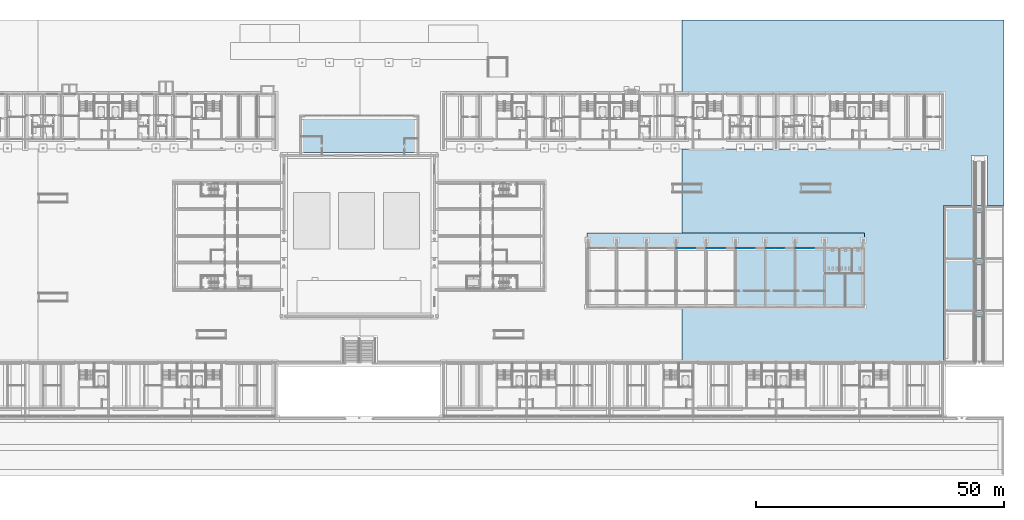
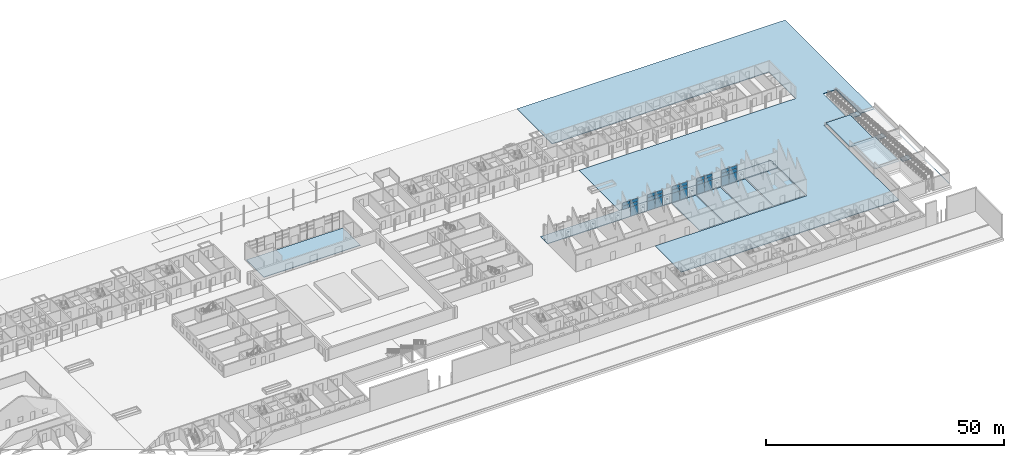
# One storey, part 34 of 112: 29 plates, 12 slabs, 6 elements without a shape of their own.
"""IFC4 building model written with IfcOpenShell, lengths in metres."""

from ifc_helpers import new_model, si_unit, direction, frame, origin, origin_2d, place, context, subcontext, project, spatial, polyline, rectangle, outline, extrude, material, layer, layer_set, type_object, element, aggregate, save


model = new_model("IFC4")

# Units and contexts
model_context = context("Model", 3, precision=1e-05, world=origin(), true_north=direction((0.0, 1.0)))
body_context = subcontext(model_context, "Body", "Model", "MODEL_VIEW")
ifc_project = project(units=[si_unit("LENGTHUNIT", "METRE"), si_unit("AREAUNIT", "SQUARE_METRE"), si_unit("VOLUMEUNIT", "CUBIC_METRE"), si_unit("PLANEANGLEUNIT", "RADIAN"), si_unit("MASSUNIT", "GRAM", prefix="KILO")], contexts=[model_context])

# Site, building, storey
site_placement = place(None, origin())
site = spatial("IfcSite", under=ifc_project, at=site_placement, CompositionType="ELEMENT")
building_placement = place(site_placement, origin())
building = spatial("IfcBuilding", under=site, at=building_placement, Name="Ridgestep Commons", CompositionType="ELEMENT")
storey_placement = place(building_placement, origin())
storey = spatial("IfcBuildingStorey", under=building, at=storey_placement, Name="L00", CompositionType="ELEMENT", Elevation=0.0)

# Curtain wall, plates
ifc_material_1 = material(Name="Aluminium and glass", Category="aluminium")
ifc_layer_1 = layer(ifc_material_1, 0.14990234375)
ifc_layer_set_1 = layer_set([ifc_layer_1], Name="Shopfront curtain wall")
curtain_wall_type = type_object("IfcCurtainWallType", Name="Shopfront curtain wall", PredefinedType="NOTDEFINED", material=ifc_layer_set_1)
curtain_wall_1_placement = place(storey_placement, origin())
curtain_wall_1 = element("IfcCurtainWall", 1, at=curtain_wall_1_placement, inside=storey, type_object=curtain_wall_type, Name="Shopfront curtain wall", PredefinedType="NOTDEFINED")
ifc_material_2 = material(Name="Glass", Category="glass")
ifc_layer_2 = layer(ifc_material_2, 0.011962890625)
ifc_layer_set_2 = layer_set([ifc_layer_2], Name="Community glass panel 12")
plate_type = type_object("IfcPlateType", Name="Community glass panel 12", PredefinedType="CURTAIN_PANEL", material=ifc_layer_set_2)
plate_1_placement = place(storey_placement, frame((194.887451171875, 45.89990234375, 2.425048828125), z_axis=(0.0, 0.0, 1.0), x_axis=(1.0, 0.0, 0.0)))
plate_1 = element("IfcPlate", 2, at=plate_1_placement, type_object=plate_type, Name="CW3 panel 1.2", PredefinedType="CURTAIN_PANEL", context=body_context, shape_type="SweptSolid", body=[
    extrude(rectangle(XDim=1.824951171875, YDim=0.011962890625, at=origin_2d()), origin(), (0.0, 0.0, 1.0), 0.85009765625),
])
plate_2_placement = place(storey_placement, frame((194.887451171875, 45.89990234375, 3.3251953125), z_axis=(0.0, 0.0, 1.0), x_axis=(1.0, 0.0, 0.0)))
plate_2 = element("IfcPlate", 3, at=plate_2_placement, type_object=plate_type, Name="CW3 panel 1.3", PredefinedType="CURTAIN_PANEL", context=body_context, shape_type="SweptSolid", body=[
    extrude(rectangle(XDim=1.824951171875, YDim=0.011962890625, at=origin_2d()), origin(), (0.0, 0.0, 1.0), 0.824951171875),
])
plate_3_placement = place(storey_placement, frame((196.762451171875, 45.89990234375, 0.0498046875), z_axis=(0.0, 0.0, 1.0), x_axis=(1.0, 0.0, 0.0)))
plate_3 = element("IfcPlate", 4, at=plate_3_placement, type_object=plate_type, Name="CW3 panel 2.1", PredefinedType="CURTAIN_PANEL", context=body_context, shape_type="SweptSolid", body=[
    extrude(rectangle(XDim=1.824951171875, YDim=0.011962890625, at=origin_2d()), origin(), (0.0, 0.0, 1.0), 2.324951171875),
])
plate_4_placement = place(storey_placement, frame((196.762451171875, 45.89990234375, 2.425048828125), z_axis=(0.0, 0.0, 1.0), x_axis=(1.0, 0.0, 0.0)))
plate_4 = element("IfcPlate", 5, at=plate_4_placement, type_object=plate_type, Name="CW3 panel 2.2", PredefinedType="CURTAIN_PANEL", context=body_context, shape_type="SweptSolid", body=[
    extrude(rectangle(XDim=1.824951171875, YDim=0.011962890625, at=origin_2d()), origin(), (0.0, 0.0, 1.0), 0.85009765625),
])
plate_5_placement = place(storey_placement, frame((196.762451171875, 45.89990234375, 3.3251953125), z_axis=(0.0, 0.0, 1.0), x_axis=(1.0, 0.0, 0.0)))
plate_5 = element("IfcPlate", 6, at=plate_5_placement, type_object=plate_type, Name="CW3 panel 2.3", PredefinedType="CURTAIN_PANEL", context=body_context, shape_type="SweptSolid", body=[
    extrude(rectangle(XDim=1.824951171875, YDim=0.011962890625, at=origin_2d()), origin(), (0.0, 0.0, 1.0), 0.824951171875),
])
aggregate(curtain_wall_1, [plate_1, plate_2, plate_3, plate_4, plate_5])

curtain_wall_2_placement = place(storey_placement, origin())
curtain_wall_2 = element("IfcCurtainWall", 7, at=curtain_wall_2_placement, inside=storey, type_object=curtain_wall_type, Name="Shopfront curtain wall", PredefinedType="NOTDEFINED")
plate_6_placement = place(storey_placement, frame((200.887451171875, 45.89990234375, 0.0498046875), z_axis=(0.0, 0.0, 1.0), x_axis=(1.0, 0.0, 0.0)))
plate_6 = element("IfcPlate", 8, at=plate_6_placement, type_object=plate_type, Name="CW3 panel 1.1", PredefinedType="CURTAIN_PANEL", context=body_context, shape_type="SweptSolid", body=[
    extrude(rectangle(XDim=1.824951171875, YDim=0.011962890625, at=origin_2d()), origin(), (0.0, 0.0, 1.0), 2.324951171875),
])
plate_7_placement = place(storey_placement, frame((200.887451171875, 45.89990234375, 2.425048828125), z_axis=(0.0, 0.0, 1.0), x_axis=(1.0, 0.0, 0.0)))
plate_7 = element("IfcPlate", 9, at=plate_7_placement, type_object=plate_type, Name="CW3 panel 1.2", PredefinedType="CURTAIN_PANEL", context=body_context, shape_type="SweptSolid", body=[
    extrude(rectangle(XDim=1.824951171875, YDim=0.011962890625, at=origin_2d()), origin(), (0.0, 0.0, 1.0), 0.85009765625),
])
plate_8_placement = place(storey_placement, frame((200.887451171875, 45.89990234375, 3.3251953125), z_axis=(0.0, 0.0, 1.0), x_axis=(1.0, 0.0, 0.0)))
plate_8 = element("IfcPlate", 10, at=plate_8_placement, type_object=plate_type, Name="CW3 panel 1.3", PredefinedType="CURTAIN_PANEL", context=body_context, shape_type="SweptSolid", body=[
    extrude(rectangle(XDim=1.824951171875, YDim=0.011962890625, at=origin_2d()), origin(), (0.0, 0.0, 1.0), 0.824951171875),
])
plate_9_placement = place(storey_placement, frame((202.762451171875, 45.89990234375, 0.0498046875), z_axis=(0.0, 0.0, 1.0), x_axis=(1.0, 0.0, 0.0)))
plate_9 = element("IfcPlate", 11, at=plate_9_placement, type_object=plate_type, Name="CW3 panel 2.1", PredefinedType="CURTAIN_PANEL", context=body_context, shape_type="SweptSolid", body=[
    extrude(rectangle(XDim=1.824951171875, YDim=0.011962890625, at=origin_2d()), origin(), (0.0, 0.0, 1.0), 2.324951171875),
])
plate_10_placement = place(storey_placement, frame((202.762451171875, 45.89990234375, 2.425048828125), z_axis=(0.0, 0.0, 1.0), x_axis=(1.0, 0.0, 0.0)))
plate_10 = element("IfcPlate", 12, at=plate_10_placement, type_object=plate_type, Name="CW3 panel 2.2", PredefinedType="CURTAIN_PANEL", context=body_context, shape_type="SweptSolid", body=[
    extrude(rectangle(XDim=1.824951171875, YDim=0.011962890625, at=origin_2d()), origin(), (0.0, 0.0, 1.0), 0.85009765625),
])
plate_11_placement = place(storey_placement, frame((202.762451171875, 45.89990234375, 3.3251953125), z_axis=(0.0, 0.0, 1.0), x_axis=(1.0, 0.0, 0.0)))
plate_11 = element("IfcPlate", 13, at=plate_11_placement, type_object=plate_type, Name="CW3 panel 2.3", PredefinedType="CURTAIN_PANEL", context=body_context, shape_type="SweptSolid", body=[
    extrude(rectangle(XDim=1.824951171875, YDim=0.011962890625, at=origin_2d()), origin(), (0.0, 0.0, 1.0), 0.824951171875),
])
aggregate(curtain_wall_2, [plate_6, plate_7, plate_8, plate_9, plate_10, plate_11])

curtain_wall_3_placement = place(storey_placement, origin())
curtain_wall_3 = element("IfcCurtainWall", 14, at=curtain_wall_3_placement, inside=storey, type_object=curtain_wall_type, Name="Shopfront curtain wall", PredefinedType="NOTDEFINED")
plate_12_placement = place(storey_placement, frame((206.887451171875, 45.89990234375, 0.0498046875), z_axis=(0.0, 0.0, 1.0), x_axis=(1.0, 0.0, 0.0)))
plate_12 = element("IfcPlate", 15, at=plate_12_placement, type_object=plate_type, Name="CW3 panel 1.1", PredefinedType="CURTAIN_PANEL", context=body_context, shape_type="SweptSolid", body=[
    extrude(rectangle(XDim=1.824951171875, YDim=0.011962890625, at=origin_2d()), origin(), (0.0, 0.0, 1.0), 2.324951171875),
])
plate_13_placement = place(storey_placement, frame((206.887451171875, 45.89990234375, 2.425048828125), z_axis=(0.0, 0.0, 1.0), x_axis=(1.0, 0.0, 0.0)))
plate_13 = element("IfcPlate", 16, at=plate_13_placement, type_object=plate_type, Name="CW3 panel 1.2", PredefinedType="CURTAIN_PANEL", context=body_context, shape_type="SweptSolid", body=[
    extrude(rectangle(XDim=1.824951171875, YDim=0.011962890625, at=origin_2d()), origin(), (0.0, 0.0, 1.0), 0.85009765625),
])
plate_14_placement = place(storey_placement, frame((206.887451171875, 45.89990234375, 3.3251953125), z_axis=(0.0, 0.0, 1.0), x_axis=(1.0, 0.0, 0.0)))
plate_14 = element("IfcPlate", 17, at=plate_14_placement, type_object=plate_type, Name="CW3 panel 1.3", PredefinedType="CURTAIN_PANEL", context=body_context, shape_type="SweptSolid", body=[
    extrude(rectangle(XDim=1.824951171875, YDim=0.011962890625, at=origin_2d()), origin(), (0.0, 0.0, 1.0), 0.824951171875),
])
plate_15_placement = place(storey_placement, frame((208.762451171875, 45.89990234375, 0.0498046875), z_axis=(0.0, 0.0, 1.0), x_axis=(1.0, 0.0, 0.0)))
plate_15 = element("IfcPlate", 18, at=plate_15_placement, type_object=plate_type, Name="CW3 panel 2.1", PredefinedType="CURTAIN_PANEL", context=body_context, shape_type="SweptSolid", body=[
    extrude(rectangle(XDim=1.824951171875, YDim=0.011962890625, at=origin_2d()), origin(), (0.0, 0.0, 1.0), 2.324951171875),
])
plate_16_placement = place(storey_placement, frame((208.762451171875, 45.89990234375, 2.425048828125), z_axis=(0.0, 0.0, 1.0), x_axis=(1.0, 0.0, 0.0)))
plate_16 = element("IfcPlate", 19, at=plate_16_placement, type_object=plate_type, Name="CW3 panel 2.2", PredefinedType="CURTAIN_PANEL", context=body_context, shape_type="SweptSolid", body=[
    extrude(rectangle(XDim=1.824951171875, YDim=0.011962890625, at=origin_2d()), origin(), (0.0, 0.0, 1.0), 0.85009765625),
])
plate_17_placement = place(storey_placement, frame((208.762451171875, 45.89990234375, 3.3251953125), z_axis=(0.0, 0.0, 1.0), x_axis=(1.0, 0.0, 0.0)))
plate_17 = element("IfcPlate", 20, at=plate_17_placement, type_object=plate_type, Name="CW3 panel 2.3", PredefinedType="CURTAIN_PANEL", context=body_context, shape_type="SweptSolid", body=[
    extrude(rectangle(XDim=1.824951171875, YDim=0.011962890625, at=origin_2d()), origin(), (0.0, 0.0, 1.0), 0.824951171875),
])
aggregate(curtain_wall_3, [plate_12, plate_13, plate_14, plate_15, plate_16, plate_17])

curtain_wall_4_placement = place(storey_placement, origin())
curtain_wall_4 = element("IfcCurtainWall", 21, at=curtain_wall_4_placement, inside=storey, type_object=curtain_wall_type, Name="Shopfront curtain wall", PredefinedType="NOTDEFINED")
plate_18_placement = place(storey_placement, frame((212.887451171875, 45.89990234375, 0.0498046875), z_axis=(0.0, 0.0, 1.0), x_axis=(1.0, 0.0, 0.0)))
plate_18 = element("IfcPlate", 22, at=plate_18_placement, type_object=plate_type, Name="CW3 panel 1.1", PredefinedType="CURTAIN_PANEL", context=body_context, shape_type="SweptSolid", body=[
    extrude(rectangle(XDim=1.824951171875, YDim=0.011962890625, at=origin_2d()), origin(), (0.0, 0.0, 1.0), 2.324951171875),
])
plate_19_placement = place(storey_placement, frame((212.887451171875, 45.89990234375, 2.425048828125), z_axis=(0.0, 0.0, 1.0), x_axis=(1.0, 0.0, 0.0)))
plate_19 = element("IfcPlate", 23, at=plate_19_placement, type_object=plate_type, Name="CW3 panel 1.2", PredefinedType="CURTAIN_PANEL", context=body_context, shape_type="SweptSolid", body=[
    extrude(rectangle(XDim=1.824951171875, YDim=0.011962890625, at=origin_2d()), origin(), (0.0, 0.0, 1.0), 0.85009765625),
])
plate_20_placement = place(storey_placement, frame((212.887451171875, 45.89990234375, 3.3251953125), z_axis=(0.0, 0.0, 1.0), x_axis=(1.0, 0.0, 0.0)))
plate_20 = element("IfcPlate", 24, at=plate_20_placement, type_object=plate_type, Name="CW3 panel 1.3", PredefinedType="CURTAIN_PANEL", context=body_context, shape_type="SweptSolid", body=[
    extrude(rectangle(XDim=1.824951171875, YDim=0.011962890625, at=origin_2d()), origin(), (0.0, 0.0, 1.0), 0.824951171875),
])
plate_21_placement = place(storey_placement, frame((214.762451171875, 45.89990234375, 0.0498046875), z_axis=(0.0, 0.0, 1.0), x_axis=(1.0, 0.0, 0.0)))
plate_21 = element("IfcPlate", 25, at=plate_21_placement, type_object=plate_type, Name="CW3 panel 2.1", PredefinedType="CURTAIN_PANEL", context=body_context, shape_type="SweptSolid", body=[
    extrude(rectangle(XDim=1.824951171875, YDim=0.011962890625, at=origin_2d()), origin(), (0.0, 0.0, 1.0), 2.324951171875),
])
plate_22_placement = place(storey_placement, frame((214.762451171875, 45.89990234375, 2.425048828125), z_axis=(0.0, 0.0, 1.0), x_axis=(1.0, 0.0, 0.0)))
plate_22 = element("IfcPlate", 26, at=plate_22_placement, type_object=plate_type, Name="CW3 panel 2.2", PredefinedType="CURTAIN_PANEL", context=body_context, shape_type="SweptSolid", body=[
    extrude(rectangle(XDim=1.824951171875, YDim=0.011962890625, at=origin_2d()), origin(), (0.0, 0.0, 1.0), 0.85009765625),
])
plate_23_placement = place(storey_placement, frame((214.762451171875, 45.89990234375, 3.3251953125), z_axis=(0.0, 0.0, 1.0), x_axis=(1.0, 0.0, 0.0)))
plate_23 = element("IfcPlate", 27, at=plate_23_placement, type_object=plate_type, Name="CW3 panel 2.3", PredefinedType="CURTAIN_PANEL", context=body_context, shape_type="SweptSolid", body=[
    extrude(rectangle(XDim=1.824951171875, YDim=0.011962890625, at=origin_2d()), origin(), (0.0, 0.0, 1.0), 0.824951171875),
])
aggregate(curtain_wall_4, [plate_18, plate_19, plate_20, plate_21, plate_22, plate_23])

curtain_wall_5_placement = place(storey_placement, origin())
curtain_wall_5 = element("IfcCurtainWall", 28, at=curtain_wall_5_placement, inside=storey, type_object=curtain_wall_type, Name="Shopfront curtain wall", PredefinedType="NOTDEFINED")
plate_24_placement = place(storey_placement, frame((218.887451171875, 45.89990234375, 0.0498046875), z_axis=(0.0, 0.0, 1.0), x_axis=(1.0, 0.0, 0.0)))
plate_24 = element("IfcPlate", 29, at=plate_24_placement, type_object=plate_type, Name="CW3 panel 1.1", PredefinedType="CURTAIN_PANEL", context=body_context, shape_type="SweptSolid", body=[
    extrude(rectangle(XDim=1.824951171875, YDim=0.011962890625, at=origin_2d()), origin(), (0.0, 0.0, 1.0), 2.324951171875),
])
plate_25_placement = place(storey_placement, frame((218.887451171875, 45.89990234375, 2.425048828125), z_axis=(0.0, 0.0, 1.0), x_axis=(1.0, 0.0, 0.0)))
plate_25 = element("IfcPlate", 30, at=plate_25_placement, type_object=plate_type, Name="CW3 panel 1.2", PredefinedType="CURTAIN_PANEL", context=body_context, shape_type="SweptSolid", body=[
    extrude(rectangle(XDim=1.824951171875, YDim=0.011962890625, at=origin_2d()), origin(), (0.0, 0.0, 1.0), 0.85009765625),
])
plate_26_placement = place(storey_placement, frame((218.887451171875, 45.89990234375, 3.3251953125), z_axis=(0.0, 0.0, 1.0), x_axis=(1.0, 0.0, 0.0)))
plate_26 = element("IfcPlate", 31, at=plate_26_placement, type_object=plate_type, Name="CW3 panel 1.3", PredefinedType="CURTAIN_PANEL", context=body_context, shape_type="SweptSolid", body=[
    extrude(rectangle(XDim=1.824951171875, YDim=0.011962890625, at=origin_2d()), origin(), (0.0, 0.0, 1.0), 0.824951171875),
])
plate_27_placement = place(storey_placement, frame((220.762451171875, 45.89990234375, 0.0498046875), z_axis=(0.0, 0.0, 1.0), x_axis=(1.0, 0.0, 0.0)))
plate_27 = element("IfcPlate", 32, at=plate_27_placement, type_object=plate_type, Name="CW3 panel 2.1", PredefinedType="CURTAIN_PANEL", context=body_context, shape_type="SweptSolid", body=[
    extrude(rectangle(XDim=1.824951171875, YDim=0.011962890625, at=origin_2d()), origin(), (0.0, 0.0, 1.0), 2.324951171875),
])
plate_28_placement = place(storey_placement, frame((220.762451171875, 45.89990234375, 2.425048828125), z_axis=(0.0, 0.0, 1.0), x_axis=(1.0, 0.0, 0.0)))
plate_28 = element("IfcPlate", 33, at=plate_28_placement, type_object=plate_type, Name="CW3 panel 2.2", PredefinedType="CURTAIN_PANEL", context=body_context, shape_type="SweptSolid", body=[
    extrude(rectangle(XDim=1.824951171875, YDim=0.011962890625, at=origin_2d()), origin(), (0.0, 0.0, 1.0), 0.85009765625),
])
plate_29_placement = place(storey_placement, frame((220.762451171875, 45.89990234375, 3.3251953125), z_axis=(0.0, 0.0, 1.0), x_axis=(1.0, 0.0, 0.0)))
plate_29 = element("IfcPlate", 34, at=plate_29_placement, type_object=plate_type, Name="CW3 panel 2.3", PredefinedType="CURTAIN_PANEL", context=body_context, shape_type="SweptSolid", body=[
    extrude(rectangle(XDim=1.824951171875, YDim=0.011962890625, at=origin_2d()), origin(), (0.0, 0.0, 1.0), 0.824951171875),
])
aggregate(curtain_wall_5, [plate_24, plate_25, plate_26, plate_27, plate_28, plate_29])

# Slabs
ifc_material_3 = material(Name="Concrete C30/37", Category="concrete")
ifc_layer_3 = layer(ifc_material_3, 0.14990234375)
ifc_layer_set_3 = layer_set([ifc_layer_3], Name="Community ground slab 150")
slab_type_1 = type_object("IfcSlabType", Name="Community ground slab 150", PredefinedType="BASESLAB", material=ifc_layer_set_3)
slab_1_placement = place(storey_placement, frame((0.0, 0.0, -0.14990234375)))
element("IfcSlab", 35, at=slab_1_placement, inside=storey, type_object=slab_type_1, Name="Community ground slab 150", PredefinedType="BASESLAB", context=body_context, shape_type="SweptSolid", body=[
    extrude(outline(polyline([(118.10009765625, 65.199951171875), (141.5, 65.199951171875), (141.5, 72.5), (118.10009765625, 72.5), (118.10009765625, 65.199951171875)])), origin(), (0.0, 0.0, 1.0), 0.14990234375),
])
slab_2_placement = place(storey_placement, frame((0.0, 0.0, -0.14990234375)))
element("IfcSlab", 36, at=slab_2_placement, inside=storey, type_object=slab_type_1, Name="Community ground slab 150", PredefinedType="BASESLAB", context=body_context, shape_type="SweptSolid", body=[
    extrude(outline(polyline([(205.925048828125, 34.25), (211.675048828125, 34.25), (211.675048828125, 45.800048828125), (205.925048828125, 45.800048828125), (205.925048828125, 34.25)])), origin(), (0.0, 0.0, 1.0), 0.14990234375),
])
slab_3_placement = place(storey_placement, frame((0.0, 0.0, -0.14990234375)))
element("IfcSlab", 37, at=slab_3_placement, inside=storey, type_object=slab_type_1, Name="Community ground slab 150", PredefinedType="BASESLAB", context=body_context, shape_type="SweptSolid", body=[
    extrude(outline(polyline([(211.925048828125, 34.25), (217.675048828125, 34.25), (217.675048828125, 45.800048828125), (211.925048828125, 45.800048828125), (211.925048828125, 34.25)])), origin(), (0.0, 0.0, 1.0), 0.14990234375),
])
slab_4_placement = place(storey_placement, frame((0.0, 0.0, -0.14990234375)))
element("IfcSlab", 38, at=slab_4_placement, inside=storey, type_object=slab_type_1, Name="Community ground slab 150", PredefinedType="BASESLAB", context=body_context, shape_type="SweptSolid", body=[
    extrude(outline(polyline([(217.925048828125, 34.25), (223.675048828125, 34.25), (223.675048828125, 45.800048828125), (217.925048828125, 45.800048828125), (217.925048828125, 34.25)])), origin(), (0.0, 0.0, 1.0), 0.14990234375),
])
slab_5_placement = place(storey_placement, frame((0.0, 0.0, -0.14990234375)))
element("IfcSlab", 39, at=slab_5_placement, inside=storey, type_object=slab_type_1, Name="Community ground slab 150", PredefinedType="BASESLAB", context=body_context, shape_type="SweptSolid", body=[
    extrude(outline(polyline([(223.925048828125, 34.25), (231.550048828125, 34.25), (231.550048828125, 45.800048828125), (223.925048828125, 45.800048828125), (223.925048828125, 34.25)])), origin(), (0.0, 0.0, 1.0), 0.14990234375),
])
ifc_material_4 = material(Name="Concrete C30/37", Category="concrete")
ifc_layer_4 = layer(ifc_material_4, 0.14990234375)
ifc_layer_set_4 = layer_set([ifc_layer_4], Name="Community paving slab 150")
slab_type_2 = type_object("IfcSlabType", Name="Community paving slab 150", PredefinedType="BASESLAB", material=ifc_layer_set_4)
slab_6_placement = place(storey_placement, frame((0.0, 0.0, -0.14990234375)))
element("IfcSlab", 40, at=slab_6_placement, inside=storey, type_object=slab_type_2, Name="Court paving", PredefinedType="BASESLAB", context=body_context, shape_type="SweptSolid", body=[
    extrude(outline(polyline([(195.0, 92.0), (260.0, 92.0), (260.0, 23.0), (259.998046875, 23.0), (259.998046875, 54.5), (256.550048828125, 54.5), (256.550048828125, 64.60009765625), (253.449951171875, 64.60009765625), (253.449951171875, 54.5), (247.800048828125, 54.5), (247.800048828125, 23.0), (195.0, 23.0), (195.0, 34.0), (231.800048828125, 34.0), (231.800048828125, 49.0), (195.0, 49.0), (195.0, 66.0), (247.60009765625, 66.0), (247.60009765625, 77.25), (195.0, 77.25), (195.0, 92.0)])), origin(), (0.0, 0.0, 1.0), 0.14990234375),
])

# Ramp, slabs
ramp_placement = place(storey_placement, origin())
ramp = element("IfcRamp", 41, at=ramp_placement, inside=storey, Name="Accessible ramp", PredefinedType="STRAIGHT_RUN_RAMP")
ifc_material_5 = material(Name="Precast concrete C40/50", Category="concrete")
ifc_layer_5 = layer(ifc_material_5, 0.14990234375)
ifc_layer_set_5 = layer_set([ifc_layer_5], Name="Community ramp landing slab 150")
slab_type_3 = type_object("IfcSlabType", Name="Community ramp landing slab 150", PredefinedType="LANDING", material=ifc_layer_set_5)
slab_7_placement = place(storey_placement, frame((0.0, 0.0, 0.60009765625)))
slab_7 = element("IfcSlab", 42, at=slab_7_placement, type_object=slab_type_3, Name="Ramp landing", PredefinedType="LANDING", context=body_context, shape_type="SweptSolid", body=[
    extrude(outline(polyline([(253.949951171875, 53.0), (256.050048828125, 53.0), (256.050048828125, 54.5), (253.949951171875, 54.5), (253.949951171875, 53.0)])), origin(), (0.0, 0.0, 1.0), 0.14990234375),
])
slab_8_placement = place(storey_placement, frame((0.0, 0.0, 1.35009765625)))
slab_8 = element("IfcSlab", 43, at=slab_8_placement, type_object=slab_type_3, Name="Ramp landing", PredefinedType="LANDING", context=body_context, shape_type="SweptSolid", body=[
    extrude(outline(polyline([(253.949951171875, 42.5), (256.050048828125, 42.5), (256.050048828125, 44.0), (253.949951171875, 44.0), (253.949951171875, 42.5)])), origin(), (0.0, 0.0, 1.0), 0.14990234375),
])
slab_9_placement = place(storey_placement, frame((0.0, 0.0, 2.10009765625)))
slab_9 = element("IfcSlab", 44, at=slab_9_placement, type_object=slab_type_3, Name="Ramp landing", PredefinedType="LANDING", context=body_context, shape_type="SweptSolid", body=[
    extrude(outline(polyline([(253.949951171875, 32.0), (256.050048828125, 32.0), (256.050048828125, 33.5), (253.949951171875, 33.5), (253.949951171875, 32.0)])), origin(), (0.0, 0.0, 1.0), 0.14990234375),
])
aggregate(ramp, [slab_7, slab_8, slab_9])

# Slabs
ifc_material_6 = material(Name="Concrete C30/37", Category="concrete")
ifc_layer_6 = layer(ifc_material_6, 0.14990234375)
ifc_layer_set_6 = layer_set([ifc_layer_6], Name="Community terrace slab 150")
slab_type_4 = type_object("IfcSlabType", Name="Community terrace slab 150", PredefinedType="BASESLAB", material=ifc_layer_set_6)
slab_10_placement = place(storey_placement, frame((0.0, 0.0, -0.14990234375)))
element("IfcSlab", 45, at=slab_10_placement, inside=storey, type_object=slab_type_4, Name="Community terrace slab 150", PredefinedType="BASESLAB", context=body_context, shape_type="SweptSolid", body=[
    extrude(outline(polyline([(231.800048828125, 49.0), (231.800048828125, 46.0), (175.800048828125, 46.0), (175.800048828125, 49.0), (231.800048828125, 49.0)]), holes=[polyline([(175.85009765625, 47.75), (175.85009765625, 47.449951171875), (176.14990234375, 47.449951171875), (176.14990234375, 47.75), (175.85009765625, 47.75)]), polyline([(181.949951171875, 47.75), (181.64990234375, 47.75), (181.64990234375, 47.449951171875), (181.949951171875, 47.449951171875), (181.949951171875, 47.75)]), polyline([(187.949951171875, 47.449951171875), (187.949951171875, 47.75), (187.64990234375, 47.75), (187.64990234375, 47.449951171875), (187.949951171875, 47.449951171875)]), polyline([(193.64990234375, 47.449951171875), (193.949951171875, 47.449951171875), (193.949951171875, 47.75), (193.64990234375, 47.75), (193.64990234375, 47.449951171875)]), polyline([(199.64990234375, 47.75), (199.64990234375, 47.449951171875), (199.949951171875, 47.449951171875), (199.949951171875, 47.75), (199.64990234375, 47.75)]), polyline([(205.949951171875, 47.75), (205.64990234375, 47.75), (205.64990234375, 47.449951171875), (205.949951171875, 47.449951171875), (205.949951171875, 47.75)]), polyline([(211.949951171875, 47.449951171875), (211.949951171875, 47.75), (211.64990234375, 47.75), (211.64990234375, 47.449951171875), (211.949951171875, 47.449951171875)]), polyline([(217.64990234375, 47.449951171875), (217.949951171875, 47.449951171875), (217.949951171875, 47.75), (217.64990234375, 47.75), (217.64990234375, 47.449951171875)]), polyline([(223.64990234375, 47.75), (223.64990234375, 47.449951171875), (223.949951171875, 47.449951171875), (223.949951171875, 47.75), (223.64990234375, 47.75)]), polyline([(231.75, 47.75), (231.449951171875, 47.75), (231.449951171875, 47.449951171875), (231.75, 47.449951171875), (231.75, 47.75)])]), origin(), (0.0, 0.0, 1.0), 0.14990234375),
])
slab_11_placement = place(storey_placement, frame((0.0, 0.0, 0.60009765625)))
element("IfcSlab", 46, at=slab_11_placement, inside=storey, type_object=slab_type_4, Name="Bank terrace paving", PredefinedType="BASESLAB", context=body_context, shape_type="SweptSolid", body=[
    extrude(outline(polyline([(248.10009765625, 44.0), (253.949951171875, 44.0), (253.949951171875, 54.199951171875), (248.10009765625, 54.199951171875), (248.10009765625, 44.0)])), origin(), (0.0, 0.0, 1.0), 0.14990234375),
])
slab_12_placement = place(storey_placement, frame((0.0, 0.0, 1.35009765625)))
element("IfcSlab", 47, at=slab_12_placement, inside=storey, type_object=slab_type_4, Name="Bank terrace paving", PredefinedType="BASESLAB", context=body_context, shape_type="SweptSolid", body=[
    extrude(outline(polyline([(248.10009765625, 33.5), (253.949951171875, 33.5), (253.949951171875, 43.699951171875), (248.10009765625, 43.699951171875), (248.10009765625, 33.5)])), origin(), (0.0, 0.0, 1.0), 0.14990234375),
])

save(model, "model.ifc")
